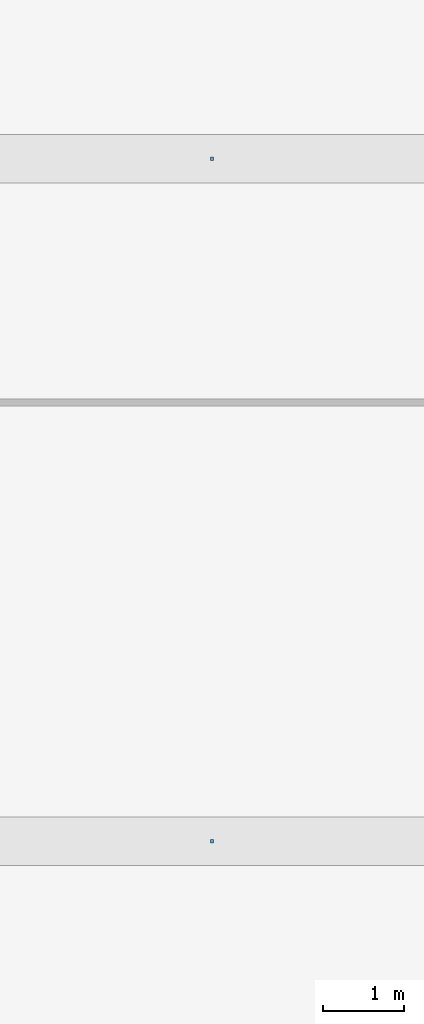
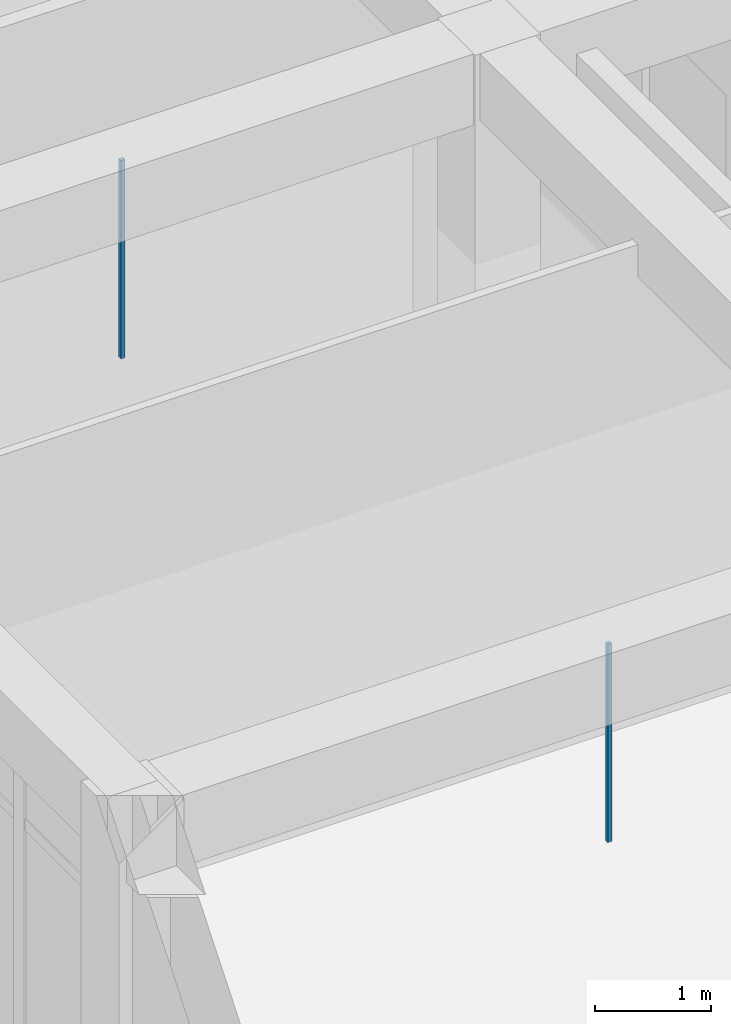
# One storey, part 129 of 167: 2 discrete accessories.
"""IFC4 building model written with IfcOpenShell, lengths in metres."""

from ifc_helpers import new_model, si_unit, direction, frame, origin, origin_2d, place, context, subcontext, project, spatial, rectangle, extrude, material, type_object, element, save


model = new_model("IFC4")

# Units and contexts
model_context = context("Model", 3, precision=1e-05, world=origin(), true_north=direction((0.0, 1.0)))
body_context = subcontext(model_context, "Body", "Model", "MODEL_VIEW")
ifc_project = project(units=[si_unit("LENGTHUNIT", "METRE"), si_unit("AREAUNIT", "SQUARE_METRE"), si_unit("VOLUMEUNIT", "CUBIC_METRE"), si_unit("PLANEANGLEUNIT", "RADIAN"), si_unit("MASSUNIT", "GRAM", prefix="KILO")], contexts=[model_context])

# Site, building, storey
site_placement = place(None, origin())
site = spatial("IfcSite", under=ifc_project, at=site_placement, CompositionType="ELEMENT")
building_placement = place(site_placement, origin())
building = spatial("IfcBuilding", under=site, at=building_placement, Name="Varncliffe General Hospital", CompositionType="ELEMENT")
storey_placement = place(building_placement, origin())
storey = spatial("IfcBuildingStorey", under=building, at=storey_placement, Name="L00", CompositionType="ELEMENT", Elevation=0.0)

# Discrete accessories
ifc_material = material(Name="Powder-coated hospital steel guardrail and handrail", Category="steel")
discrete_accessory_type = type_object("IfcDiscreteAccessoryType", Name="Suspended Ceiling Hanger Bracket CH01", PredefinedType="BRACKET", material=ifc_material)
for number, where, z_axis, x_axis, name in (
    (1, (155.9423828125, 66.0, 3.18994140625), (0.0, 0.0, 1.0), (1.0, 0.0, 0.0), "L00 Suspended Ceiling Hanger 67"),
    (2, (155.9423828125, 74.39990234375, 3.18994140625), (0.0, 0.0, 1.0), (1.0, 0.0, 0.0), "L00 Suspended Ceiling Hanger 68"),
):
    element("IfcDiscreteAccessory", number, at=place(storey_placement, frame(where, z_axis=z_axis, x_axis=x_axis)), inside=storey, type_object=discrete_accessory_type, Name=name, PredefinedType="BRACKET", context=body_context, shape_type="SweptSolid", body=[
        extrude(rectangle(XDim=0.0400390625, YDim=0.0400390625, at=origin_2d()), origin(), (0.0, 0.0, 1.0), 2.090087890625),
    ])

save(model, "model.ifc")
